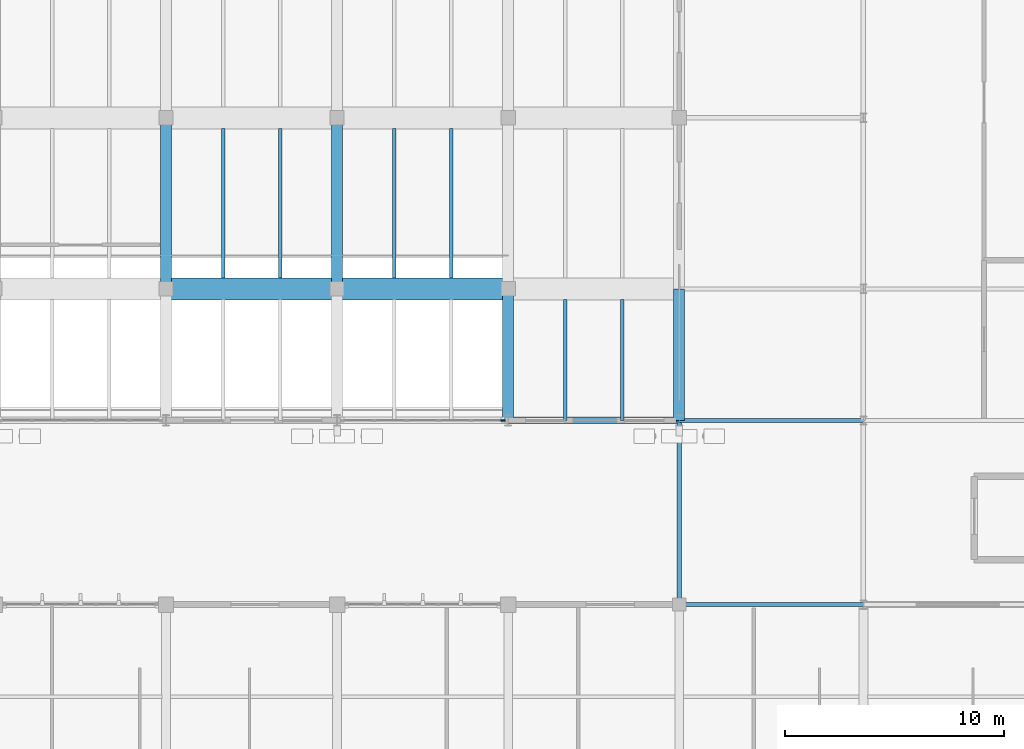
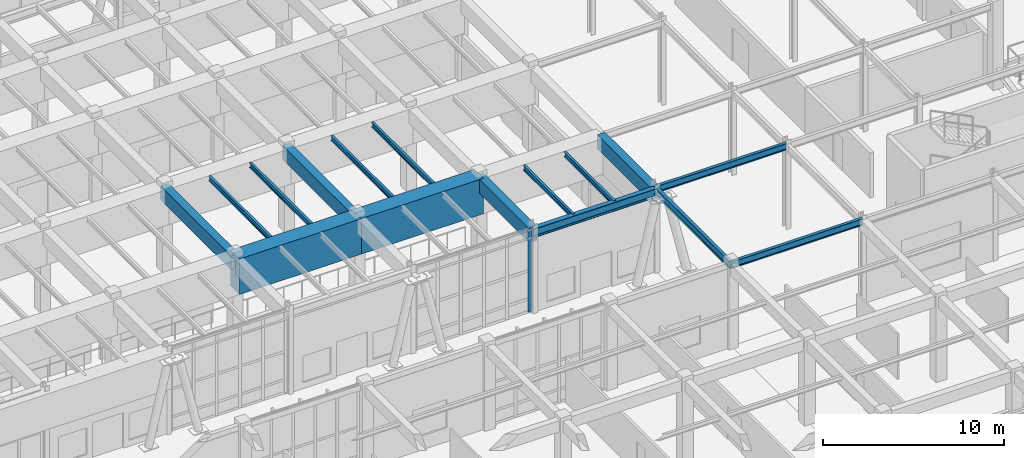
# One storey, part 24 of 110: 16 beams, 1 member, 1 element without a shape of its own.
"""IFC4 building model written with IfcOpenShell, lengths in metres."""

from ifc_helpers import new_model, si_unit, direction, frame, origin, origin_2d, place, context, subcontext, project, spatial, rectangle, i_section, extrude, material, material_profile, profile_set, type_object, element, aggregate, save


model = new_model("IFC4")

# Units and contexts
model_context = context("Model", 3, precision=1e-05, world=origin(), true_north=direction((0.0, 1.0)))
body_context = subcontext(model_context, "Body", "Model", "MODEL_VIEW")
ifc_project = project(units=[si_unit("LENGTHUNIT", "METRE"), si_unit("AREAUNIT", "SQUARE_METRE"), si_unit("VOLUMEUNIT", "CUBIC_METRE"), si_unit("PLANEANGLEUNIT", "RADIAN"), si_unit("MASSUNIT", "GRAM", prefix="KILO")], contexts=[model_context])

# Site, building, storey
site_placement = place(None, origin())
site = spatial("IfcSite", under=ifc_project, at=site_placement, CompositionType="ELEMENT")
building_placement = place(site_placement, origin())
building = spatial("IfcBuilding", under=site, at=building_placement, Name="Tizgana Railside Sports Hall", CompositionType="ELEMENT")
storey_placement = place(building_placement, origin())
storey = spatial("IfcBuildingStorey", under=building, at=storey_placement, Name="L00", CompositionType="ELEMENT", Elevation=0.0)

# Beams
ifc_material_1 = material(Name="Concrete C40/50", Category="concrete")
ifc_material_profile_1 = material_profile(ifc_material_1, rectangle(XDim=0.5, YDim=0.949951171875, at=origin_2d()), Name="RCB 500x950")
ifc_profile_set_1 = profile_set([ifc_material_profile_1], Name="Concrete C40/50")
beam_type_1 = type_object("IfcBeamType", Name="Concrete Beam RCB 500x950", PredefinedType="BEAM", material=ifc_profile_set_1)
for number, where, z_axis, x_axis, name in (
    (1, (31.199951171875, 46.800048828125, 5.160888671875), (0.0, 1.0, 0.0), (-1.0, 0.0, 0.0), "L00 BEM-0156"),
    (2, (39.0, 46.800048828125, 5.160888671875), (0.0, 1.0, 0.0), (-1.0, 0.0, 0.0), "L00 BEM-0162"),
):
    element("IfcBeam", number, at=place(storey_placement, frame(where, z_axis=z_axis, x_axis=x_axis)), inside=storey, type_object=beam_type_1, Name=name, PredefinedType="BEAM", context=body_context, shape_type="SweptSolid", body=[
        extrude(rectangle(XDim=0.5, YDim=0.949951171875, at=origin_2d()), origin(), (0.0, 0.0, 1.0), 7.800048828125),
    ])
for number, where, z_axis, x_axis, name in (
    (3, (46.800048828125, 40.800048828125, 5.160888671875), (0.0, 1.0, 0.0), (-1.0, 0.0, 0.0), "L00 BEM-0167"),
    (4, (54.60009765625, 40.800048828125, 5.160888671875), (0.0, 1.0, 0.0), (-1.0, 0.0, 0.0), "L00 BEM-0172"),
):
    element("IfcBeam", number, at=place(storey_placement, frame(where, z_axis=z_axis, x_axis=x_axis)), inside=storey, type_object=beam_type_1, Name=name, PredefinedType="BEAM", context=body_context, shape_type="SweptSolid", body=[
        extrude(rectangle(XDim=0.5, YDim=0.949951171875, at=origin_2d()), origin(), (0.0, 0.0, 1.0), 6.0),
    ])

# Curtain wall, member
ifc_material_2 = material(Name="Anodised aluminium and glass", Category="aluminium")
curtain_wall_type = type_object("IfcCurtainWallType", Name="Unitised Curtain Wall Climbing 1600", PredefinedType="NOTDEFINED", material=ifc_material_2)
curtain_wall_placement = place(storey_placement, origin())
curtain_wall = element("IfcCurtainWall", 5, at=curtain_wall_placement, inside=storey, type_object=curtain_wall_type, Name="L00 Curtain Wall CW-0003", PredefinedType="NOTDEFINED")
ifc_material_3 = material(Name="Anodised aluminium", Category="aluminium")
ifc_material_profile_2 = material_profile(ifc_material_3, rectangle(XDim=0.06494140625, YDim=0.199951171875, at=origin_2d()), Name="Mullion 65x200")
ifc_profile_set_2 = profile_set([ifc_material_profile_2], Name="Anodised aluminium")
member_type = type_object("IfcMemberType", Name="Mullion 65x200", PredefinedType="MULLION", material=ifc_profile_set_2)
member_placement = place(storey_placement, frame((46.5625, 40.800048828125, 0.044921875), z_axis=(0.0, 0.0, 1.0), x_axis=(0.0, -1.0, 0.0)))
member = element("IfcMember", 6, at=member_placement, type_object=member_type, Name="CW-04 mullion 1", PredefinedType="MULLION", context=body_context, shape_type="SweptSolid", body=[
    extrude(rectangle(XDim=0.06494140625, YDim=0.199951171875, at=origin_2d()), origin(), (0.0, 0.0, 1.0), 5.60498046875),
])
aggregate(curtain_wall, [member])

# Beams
ifc_material_profile_3 = material_profile(ifc_material_1, rectangle(XDim=1.0, YDim=2.39990234375, at=origin_2d()), Name="PTG 1000x2400")
ifc_profile_set_3 = profile_set([ifc_material_profile_3], Name="Concrete C40/50")
beam_type_2 = type_object("IfcBeamType", Name="Post-Tensioned Girder PTG 1000x2400", PredefinedType="BEAM", material=ifc_profile_set_3)
for number, where, z_axis, x_axis, name in (
    (7, (31.199951171875, 46.800048828125, 4.43603515625), (1.0, 0.0, 0.0), (0.0, 1.0, 0.0), "L00 BEM-0100"),
    (8, (39.0, 46.800048828125, 4.43603515625), (1.0, 0.0, 0.0), (0.0, 1.0, 0.0), "L00 BEM-0101"),
):
    element("IfcBeam", number, at=place(storey_placement, frame(where, z_axis=z_axis, x_axis=x_axis)), inside=storey, type_object=beam_type_2, Name=name, PredefinedType="BEAM", context=body_context, shape_type="SweptSolid", body=[
        extrude(rectangle(XDim=1.0, YDim=2.39990234375, at=origin_2d()), origin(), (0.0, 0.0, 1.0), 7.800048828125),
    ])
ifc_material_4 = material(Name="Steel S355J2", Category="steel")
ifc_material_profile_4 = material_profile(ifc_material_4, i_section(OverallWidth=0.300048828125, OverallDepth=0.60009765625, WebThickness=0.015380859375, FlangeThickness=0.030029296875, FilletRadius=0.027099609375, at=origin_2d()), Name="HEB 600")
ifc_profile_set_4 = profile_set([ifc_material_profile_4], Name="Steel S355J2")
beam_type_3 = type_object("IfcBeamType", Name="Steel Beam HEB 600", PredefinedType="BEAM", material=ifc_profile_set_4)
beam_1_placement = place(storey_placement, frame((46.800048828125, 40.800048828125, 5.3359375), z_axis=(1.0, 0.0, 0.0), x_axis=(0.0, 1.0, 0.0)))
element("IfcBeam", 9, at=beam_1_placement, inside=storey, type_object=beam_type_3, Name="L00 BEM-0096", PredefinedType="BEAM", context=body_context, shape_type="SweptSolid", body=[
    extrude(i_section(OverallWidth=0.300048828125, OverallDepth=0.60009765625, WebThickness=0.015380859375, FlangeThickness=0.030029296875, FilletRadius=0.027099609375, at=origin_2d()), origin(), (0.0, 0.0, 1.0), 7.800048828125),
])
ifc_material_profile_5 = material_profile(ifc_material_4, i_section(OverallWidth=0.18994140625, OverallDepth=0.449951171875, WebThickness=0.009521484375, FlangeThickness=0.0146484375, FilletRadius=0.02099609375, at=origin_2d()), Name="IPE 450")
ifc_profile_set_5 = profile_set([ifc_material_profile_5], Name="Steel S355J2")
beam_type_4 = type_object("IfcBeamType", Name="Steel Beam IPE 450", PredefinedType="BEAM", material=ifc_profile_set_5)
for number, where, z_axis, x_axis, name in (
    (10, (54.60009765625, 32.39990234375, 5.5009765625), (1.0, 0.0, 0.0), (0.0, 1.0, 0.0), "L00 BEM-0926"),
    (11, (54.60009765625, 40.800048828125, 5.5009765625), (1.0, 0.0, 0.0), (0.0, 1.0, 0.0), "L00 BEM-0927"),
):
    element("IfcBeam", number, at=place(storey_placement, frame(where, z_axis=z_axis, x_axis=x_axis)), inside=storey, type_object=beam_type_4, Name=name, PredefinedType="BEAM", context=body_context, shape_type="SweptSolid", body=[
        extrude(i_section(OverallWidth=0.18994140625, OverallDepth=0.449951171875, WebThickness=0.009521484375, FlangeThickness=0.0146484375, FilletRadius=0.02099609375, at=origin_2d()), origin(), (0.0, 0.0, 1.0), 8.39990234375),
    ])
ifc_material_profile_6 = material_profile(ifc_material_4, i_section(OverallWidth=0.199951171875, OverallDepth=0.5, WebThickness=0.01025390625, FlangeThickness=0.01611328125, FilletRadius=0.02099609375, at=origin_2d()), Name="IPE 500")
ifc_profile_set_6 = profile_set([ifc_material_profile_6], Name="Steel S355J2")
beam_type_5 = type_object("IfcBeamType", Name="Steel Beam IPE 500", PredefinedType="BEAM", material=ifc_profile_set_6)
beam_2_placement = place(storey_placement, frame((54.60009765625, 32.39990234375, 5.47607421875), z_axis=(0.0, 1.0, 0.0), x_axis=(-1.0, 0.0, 0.0)))
element("IfcBeam", 12, at=beam_2_placement, inside=storey, type_object=beam_type_5, Name="L00 BEM-0910", PredefinedType="BEAM", context=body_context, shape_type="SweptSolid", body=[
    extrude(i_section(OverallWidth=0.199951171875, OverallDepth=0.5, WebThickness=0.01025390625, FlangeThickness=0.01611328125, FilletRadius=0.02099609375, at=origin_2d()), origin(), (0.0, 0.0, 1.0), 8.400146484375),
])
ifc_material_profile_7 = material_profile(ifc_material_4, i_section(OverallWidth=0.159912109375, OverallDepth=0.330078125, WebThickness=0.007568359375, FlangeThickness=0.011474609375, FilletRadius=0.01806640625, at=origin_2d()), Name="IPE 330")
ifc_profile_set_7 = profile_set([ifc_material_profile_7], Name="Steel S355J2")
beam_type_6 = type_object("IfcBeamType", Name="Steel Joist IPE 330", PredefinedType="JOIST", material=ifc_profile_set_7)
for number, where, z_axis, x_axis, name in (
    (13, (33.800048828125, 47.294921875, 5.470947265625), (0.0, 1.0, 0.0), (-1.0, 0.0, 0.0), "L00 BEM-0219"),
    (14, (36.39990234375, 47.294921875, 5.470947265625), (0.0, 1.0, 0.0), (-1.0, 0.0, 0.0), "L00 BEM-0224"),
    (15, (41.60009765625, 47.294921875, 5.470947265625), (0.0, 1.0, 0.0), (-1.0, 0.0, 0.0), "L00 BEM-0229"),
    (16, (44.199951171875, 47.294921875, 5.470947265625), (0.0, 1.0, 0.0), (-1.0, 0.0, 0.0), "L00 BEM-0234"),
):
    element("IfcBeam", number, at=place(storey_placement, frame(where, z_axis=z_axis, x_axis=x_axis)), inside=storey, type_object=beam_type_6, Name=name, PredefinedType="JOIST", context=body_context, shape_type="SweptSolid", body=[
        extrude(i_section(OverallWidth=0.159912109375, OverallDepth=0.330078125, WebThickness=0.007568359375, FlangeThickness=0.011474609375, FilletRadius=0.01806640625, at=origin_2d()), origin(), (0.0, 0.0, 1.0), 6.81005859375),
    ])
for number, where, z_axis, x_axis, name in (
    (17, (49.39990234375, 40.800048828125, 5.470947265625), (0.0, 1.0, 0.0), (-1.0, 0.0, 0.0), "L00 BEM-0238"),
    (18, (52.0, 40.800048828125, 5.470947265625), (0.0, 1.0, 0.0), (-1.0, 0.0, 0.0), "L00 BEM-0243"),
):
    element("IfcBeam", number, at=place(storey_placement, frame(where, z_axis=z_axis, x_axis=x_axis)), inside=storey, type_object=beam_type_6, Name=name, PredefinedType="JOIST", context=body_context, shape_type="SweptSolid", body=[
        extrude(i_section(OverallWidth=0.159912109375, OverallDepth=0.330078125, WebThickness=0.007568359375, FlangeThickness=0.011474609375, FilletRadius=0.01806640625, at=origin_2d()), origin(), (0.0, 0.0, 1.0), 5.5048828125),
    ])

save(model, "model.ifc")
